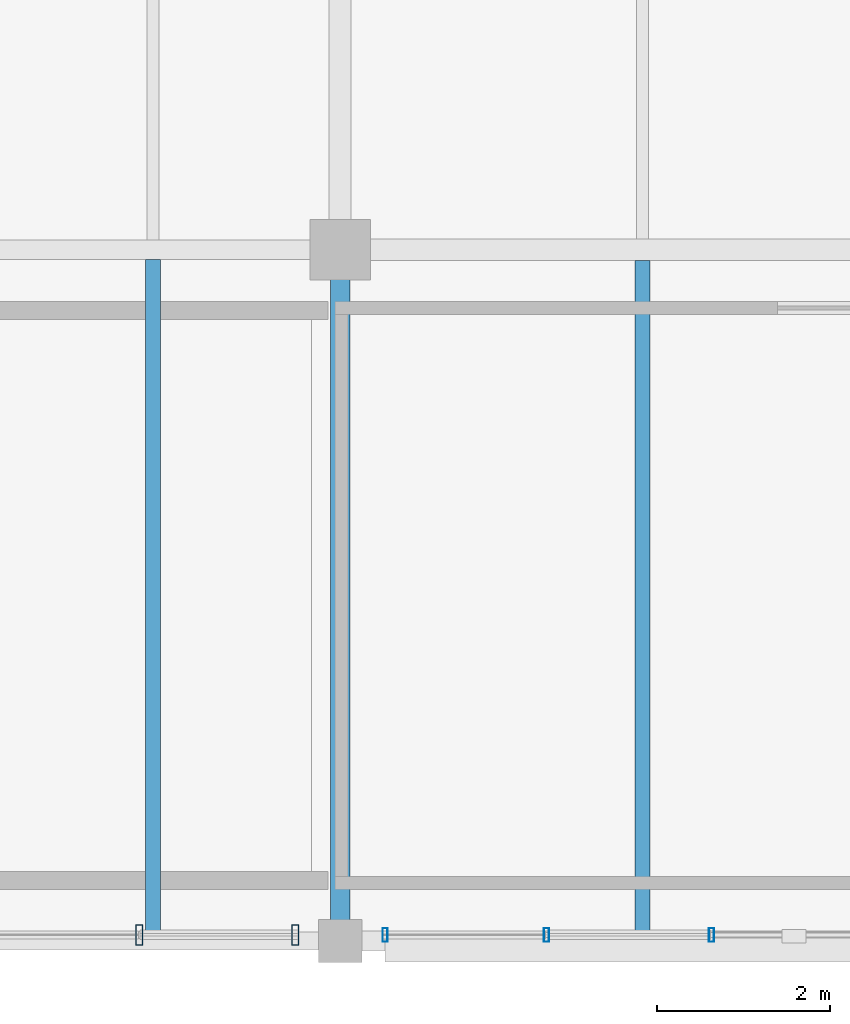
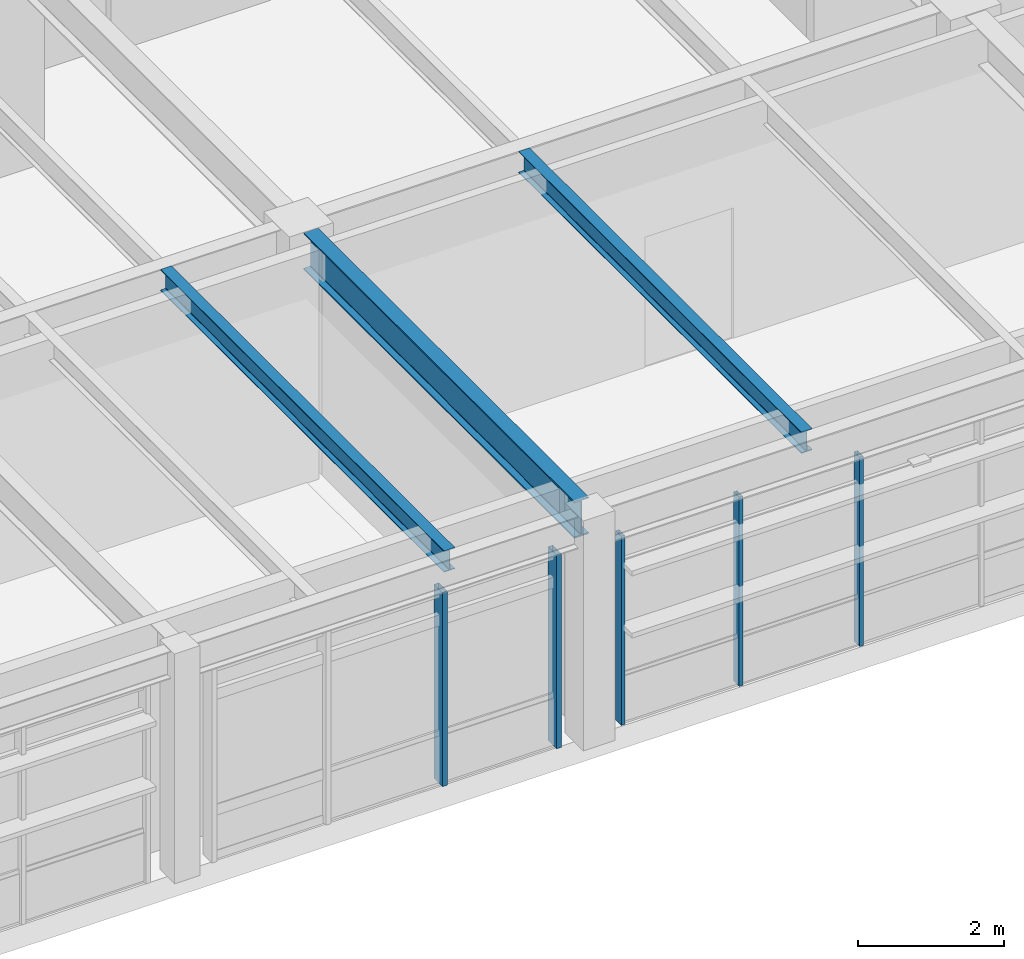
# One storey, part 4 of 26: 5 members, 3 beams, 2 elements without a shape of their own.
"""IFC4 building model written with IfcOpenShell, lengths in metres."""

import ifcopenshell
import ifcopenshell.guid

model = None  # the IFC model being written
_history = None  # IfcOwnerHistory: only IFC2X3 demands one
_inside = {}  # id of a spatial element -> (the spatial element, [elements in it])
_under = {}  # id of a project, library or spatial element -> (it, [spatial elements below it])
_declared = {}  # id of a project -> (the project, [libraries it declares])
_typed = {}  # id of a type object -> (the type object, [elements of that type])
_made_of = {}  # id of a material, layer set ... -> (it, [elements and type objects made of it])


def new_model(schema):
    """Start an empty IFC model of exactly this schema.

    Asked for "IFC4X3", IfcOpenShell would pick the latest addendum, in which some entities
    have other attributes; the version numbers below select the first issue.
    IFC2X3 requires an IfcOwnerHistory on every rooted entity: one is made here for all.
    """
    global model, _history
    if schema == "IFC4X3":
        model = ifcopenshell.file(schema_version=(4, 3, 0, 0))
    else:
        model = ifcopenshell.file(schema=schema)
    _inside.clear()
    _under.clear()
    _declared.clear()
    _typed.clear()
    _made_of.clear()
    _history = None
    if model.schema == "IFC2X3":
        org = make("IfcOrganization", Name="unknown")
        user = make(
            "IfcPersonAndOrganization",
            ThePerson=make("IfcPerson", FamilyName="unknown"),
            TheOrganization=org,
        )
        app = make(
            "IfcApplication",
            ApplicationDeveloper=org,
            Version="unknown",
            ApplicationFullName="unknown",
            ApplicationIdentifier="unknown",
        )
        _history = make(
            "IfcOwnerHistory",
            OwningUser=user,
            OwningApplication=app,
            ChangeAction="ADDED",
            CreationDate=0,
        )
    return model


def make(cls, **values):
    """One entity of the class cls with the attributes given. An attribute that is None is left unset."""
    return model.create_entity(
        cls, **{name: value for name, value in values.items() if value is not None}
    )


def rooted(cls, **values):
    """An entity with a GlobalId (a new one), such as an element, a storey or a relation."""
    return make(cls, GlobalId=ifcopenshell.guid.new(), OwnerHistory=_history, **values)


def si_unit(unit_type, name, prefix=None):
    """IfcSIUnit, for example si_unit("LENGTHUNIT", "METRE", prefix="MILLI")."""
    return make("IfcSIUnit", UnitType=unit_type, Prefix=prefix, Name=name)


def assignment(units):
    """IfcUnitAssignment: the units of a project."""
    return None if units is None else make("IfcUnitAssignment", Units=units)


def point(xyz):
    """IfcCartesianPoint."""
    return None if xyz is None else make("IfcCartesianPoint", Coordinates=xyz)


def direction(xyz):
    """IfcDirection."""
    return None if xyz is None else make("IfcDirection", DirectionRatios=xyz)


def frame(location, z_axis=None, x_axis=None):
    """IfcAxis2Placement3D, a coordinate frame: its origin and axes. An axis left out is left unset."""
    return make(
        "IfcAxis2Placement3D",
        Location=point(location),
        Axis=direction(z_axis),
        RefDirection=direction(x_axis),
    )


def frame_2d(location, x_axis=None):
    """IfcAxis2Placement2D, a coordinate frame in the plane: its origin and x axis."""
    return make(
        "IfcAxis2Placement2D", Location=point(location), RefDirection=direction(x_axis)
    )


def origin():
    """The frame at (0, 0, 0) with its axes left unset."""
    return frame((0.0, 0.0, 0.0))


def origin_2d():
    """The frame at (0, 0) in the plane with its x axis left unset."""
    return frame_2d((0.0, 0.0))


def place(relative_to, where):
    """IfcLocalPlacement: puts the frame where relative to a parent placement (None: the world)."""
    return make(
        "IfcLocalPlacement", PlacementRelTo=relative_to, RelativePlacement=where
    )


def context(
    kind, dimensions, precision=None, world=None, true_north=None, identifier=None
):
    """IfcGeometricRepresentationContext, for example the 3D "Model" context."""
    return make(
        "IfcGeometricRepresentationContext",
        ContextIdentifier=identifier,
        ContextType=kind,
        CoordinateSpaceDimension=dimensions,
        Precision=precision,
        WorldCoordinateSystem=world,
        TrueNorth=true_north,
    )


def subcontext(parent, identifier, kind, view, scale=None):
    """IfcGeometricRepresentationSubContext, for example "Body" below "Model"."""
    return make(
        "IfcGeometricRepresentationSubContext",
        ContextIdentifier=identifier,
        ContextType=kind,
        ParentContext=parent,
        TargetScale=scale,
        TargetView=view,
    )


def project(units=None, contexts=None):
    """IfcProject with its units and contexts."""
    return rooted(
        "IfcProject",
        Name="project",
        RepresentationContexts=contexts,
        UnitsInContext=assignment(units),
    )


def spatial(cls, under=None, at=None, **own):
    """A site, building, storey or space (cls), placed at a placement, below another one or the project."""
    s = rooted(cls, ObjectPlacement=at, **own)
    if under is not None:
        _under.setdefault(under.id(), (under, []))[1].append(s)
    return s


def profile(cls, at=None, kind="AREA", **sizes):
    """A parametric profile (cls). Its sizes go by their IFC names, for example OverallWidth=200.0."""
    return make(cls, ProfileType=kind, Position=at, **sizes)


def hollow_rectangle(**sizes):
    """IfcRectangleHollowProfileDef."""
    return profile("IfcRectangleHollowProfileDef", **sizes)


def i_section(**sizes):
    """IfcIShapeProfileDef."""
    return profile("IfcIShapeProfileDef", **sizes)


def extrude(swept, where, along, depth):
    """IfcExtrudedAreaSolid: the profile swept, set in the frame where, extruded along a direction by depth."""
    return make(
        "IfcExtrudedAreaSolid",
        SweptArea=swept,
        Position=where,
        ExtrudedDirection=direction(along),
        Depth=depth,
    )


def shape(context_of_items, identifier, shape_type, items):
    """IfcShapeRepresentation: the items that make up one representation, for example the "Body"."""
    return make(
        "IfcShapeRepresentation",
        ContextOfItems=context_of_items,
        RepresentationIdentifier=identifier,
        RepresentationType=shape_type,
        Items=items,
    )


def material(Name=None, Category=None):
    """IfcMaterial."""
    return make("IfcMaterial", Name=Name, Category=Category)


def material_profile(
    of_material, cross_section, Name=None, Category=None, Priority=None
):
    """IfcMaterialProfile: a cross section and its material."""
    return make(
        "IfcMaterialProfile",
        Name=Name,
        Material=of_material,
        Profile=cross_section,
        Priority=Priority,
        Category=Category,
    )


def profile_set(profiles, Name=None, composite=None):
    """IfcMaterialProfileSet."""
    return make(
        "IfcMaterialProfileSet",
        Name=Name,
        MaterialProfiles=profiles,
        CompositeProfile=composite,
    )


def made_of(thing, what):
    """Note that an element or type object is made of a material, layer set ...; save() writes the relation."""
    if what is not None:
        _made_of.setdefault(what.id(), (what, []))[1].append(thing)
    return thing


def type_object(cls, material=None, **own):
    """A type object (cls), such as IfcWallType, which elements share."""
    return made_of(rooted(cls, **own), material)


def element(
    cls,
    number,
    at=None,
    inside=None,
    cuts=None,
    type_object=None,
    material=None,
    context=None,
    identifier="Body",
    shape_type=None,
    held_by="IfcProductDefinitionShape",
    body=None,
    shapes=None,
    **own,
):
    """One element of the class cls, such as IfcWall. Its Tag is "e" and its number.

    at: its placement. inside: the storey or other place that contains it. cuts: it is an
    opening in that element (IfcRelVoidsElement). A single representation is given by context,
    identifier, shape_type and body (its items); several are given by shapes. held_by: the class
    of the entity that holds the representations. save() writes the other relations.
    """
    e = rooted(cls, Tag="e%d" % number, ObjectPlacement=at, **own)
    if body is not None:
        shapes = [shape(context, identifier, shape_type, body)]
    if shapes is not None:
        e.Representation = make(held_by, Representations=shapes)
    if inside is not None:
        _inside.setdefault(inside.id(), (inside, []))[1].append(e)
    if cuts is not None:
        rooted(
            "IfcRelVoidsElement", RelatingBuildingElement=cuts, RelatedOpeningElement=e
        )
    if type_object is not None:
        _typed.setdefault(type_object.id(), (type_object, []))[1].append(e)
    return made_of(e, material)


def aggregate(whole, parts):
    """IfcRelAggregates: a whole, such as a stair, and the parts it consists of."""
    return rooted("IfcRelAggregates", RelatingObject=whole, RelatedObjects=parts)


def save(model, path):
    """Write the relations noted so far, then the file.

    IfcRelAggregates (storeys below a building ...), IfcRelContainedInSpatialStructure (elements
    in a storey), IfcRelDefinesByType, IfcRelAssociatesMaterial and IfcRelDeclares: one each for
    every whole, place, type object, material and project.
    """
    for whole, parts in _under.values():
        aggregate(whole, parts)
    for where, things in _inside.values():
        rooted(
            "IfcRelContainedInSpatialStructure",
            RelatedElements=things,
            RelatingStructure=where,
        )
    for kind, things in _typed.values():
        rooted("IfcRelDefinesByType", RelatedObjects=things, RelatingType=kind)
    for what, things in _made_of.values():
        rooted("IfcRelAssociatesMaterial", RelatedObjects=things, RelatingMaterial=what)
    for by, libraries in _declared.values():
        rooted("IfcRelDeclares", RelatingContext=by, RelatedDefinitions=libraries)
    model.write(path)


model = new_model("IFC4")

# Units and contexts
model_context = context("Model", 3, precision=1e-05, world=origin(), true_north=direction((0.0, 1.0)))
body_context = subcontext(model_context, "Body", "Model", "MODEL_VIEW")
ifc_project = project(units=[si_unit("LENGTHUNIT", "METRE"), si_unit("AREAUNIT", "SQUARE_METRE"), si_unit("VOLUMEUNIT", "CUBIC_METRE"), si_unit("PLANEANGLEUNIT", "RADIAN"), si_unit("MASSUNIT", "GRAM", prefix="KILO"), si_unit("THERMODYNAMICTEMPERATUREUNIT", "KELVIN"), si_unit("POWERUNIT", "WATT")], contexts=[model_context])

# Site, building, storey
site_placement = place(None, origin())
site = spatial("IfcSite", under=ifc_project, at=site_placement, CompositionType="ELEMENT")
building_placement = place(site_placement, origin())
building = spatial("IfcBuilding", under=site, at=building_placement, Name="Tepalcoro Natatorium and Aquatics Centre", CompositionType="ELEMENT")
storey_placement = place(building_placement, frame((0.0, 0.0, 19.0)))
storey = spatial("IfcBuildingStorey", under=building, at=storey_placement, Name="L04", CompositionType="ELEMENT", Elevation=19.0)

# Beam
ifc_material_1 = material(Name="Steel ASTM A992 Grade 50 (Fy 345 MPa)", Category="steel")
ifc_material_profile_1 = material_profile(ifc_material_1, i_section(OverallWidth=0.22998046875, OverallDepth=0.616943359375, WebThickness=0.012939453125, FlangeThickness=0.02197265625, FilletRadius=0.013916015625, at=origin_2d()), Name="W24X94")
ifc_profile_set_1 = profile_set([ifc_material_profile_1], Name="Steel ASTM A992 Grade 50 (Fy 345 MPa)")
beam_type_1 = type_object("IfcBeamType", Name="BM_W24x94", PredefinedType="BEAM", material=ifc_profile_set_1)
beam_1_placement = place(storey_placement, frame((131.5, 94.235107421875, 3.526611328125), z_axis=(0.0, 1.0, 0.0), x_axis=(-1.0, 0.0, 0.0)))
element("IfcBeam", 1, at=beam_1_placement, inside=storey, type_object=beam_type_1, Name="V5 L04 Grid Girder Y", PredefinedType="BEAM", context=body_context, shape_type="SweptSolid", body=[
    extrude(i_section(OverallWidth=0.22998046875, OverallDepth=0.616943359375, WebThickness=0.012939453125, FlangeThickness=0.02197265625, FilletRadius=0.013916015625, at=origin_2d()), origin(), (0.0, 0.0, 1.0), 7.429931640625),
])

# Curtain wall, members
ifc_material_2 = material(Name="Bronze-Anodised Extruded Aluminium Alloy EN AW-6063 T6", Category="aluminium")
curtain_wall_type_1 = type_object("IfcCurtainWallType", Name="CW_V4_VILLAGE", PredefinedType="USERDEFINED", material=ifc_material_2)
curtain_wall_1_placement = place(storey_placement, origin())
curtain_wall_1 = element("IfcCurtainWall", 2, at=curtain_wall_1_placement, inside=storey, type_object=curtain_wall_type_1, Name="V5 L04 S Unitised Curtain Wall Bay 3", ObjectType="UNITISED STOREFRONT", PredefinedType="USERDEFINED")
ifc_material_profile_2 = material_profile(ifc_material_2, hollow_rectangle(XDim=0.06005859375, YDim=0.159912109375, WallThickness=0.00390625, at=origin_2d()), Name="AL60X160X4")
ifc_profile_set_2 = profile_set([ifc_material_profile_2], Name="Bronze-Anodised Extruded Aluminium Alloy EN AW-6063 T6")
member_type_1 = type_object("IfcMemberType", Name="CW_MUL_60x160", PredefinedType="MULLION", material=ifc_profile_set_2)
member_1_placement = place(storey_placement, frame((132.02001953125, 94.0712890625, 0.02001953125), z_axis=(0.0, 0.0, 1.0), x_axis=(1.0, 0.0, 0.0)))
member_1 = element("IfcMember", 3, at=member_1_placement, type_object=member_type_1, Name="CW_V4_VILLAGE Curtain Wall Mullion", PredefinedType="MULLION", context=body_context, shape_type="SweptSolid", body=[
    extrude(hollow_rectangle(XDim=0.06005859375, YDim=0.159912109375, WallThickness=0.00390625, at=origin_2d()), origin(), (0.0, 0.0, 1.0), 3.16796875),
])
member_2_placement = place(storey_placement, frame((133.887939453125, 94.0712890625, 0.02001953125), z_axis=(0.0, 0.0, 1.0), x_axis=(1.0, 0.0, 0.0)))
member_2 = element("IfcMember", 4, at=member_2_placement, type_object=member_type_1, Name="CW_V4_VILLAGE Curtain Wall Mullion", PredefinedType="MULLION", context=body_context, shape_type="SweptSolid", body=[
    extrude(hollow_rectangle(XDim=0.06005859375, YDim=0.159912109375, WallThickness=0.00390625, at=origin_2d()), origin(), (0.0, 0.0, 1.0), 3.16796875),
])
member_3_placement = place(storey_placement, frame((135.7958984375, 94.0712890625, 0.02001953125), z_axis=(0.0, 0.0, 1.0), x_axis=(1.0, 0.0, 0.0)))
member_3 = element("IfcMember", 5, at=member_3_placement, type_object=member_type_1, Name="CW_V4_VILLAGE Curtain Wall Mullion", PredefinedType="MULLION", context=body_context, shape_type="SweptSolid", body=[
    extrude(hollow_rectangle(XDim=0.06005859375, YDim=0.159912109375, WallThickness=0.00390625, at=origin_2d()), origin(), (0.0, 0.0, 1.0), 3.16796875),
])
aggregate(curtain_wall_1, [member_1, member_2, member_3])

curtain_wall_type_2 = type_object("IfcCurtainWallType", Name="CW_V3_FOYER", PredefinedType="USERDEFINED", material=ifc_material_2)
curtain_wall_2_placement = place(storey_placement, origin())
curtain_wall_2 = element("IfcCurtainWall", 6, at=curtain_wall_2_placement, inside=storey, type_object=curtain_wall_type_2, Name="V5 L04 S Unitised Curtain Wall Bay 2", ObjectType="UNITISED STOREFRONT", PredefinedType="USERDEFINED")
ifc_material_profile_3 = material_profile(ifc_material_2, hollow_rectangle(XDim=0.080078125, YDim=0.239990234375, WallThickness=0.0048828125, at=origin_2d()), Name="AL80X240X5")
ifc_profile_set_3 = profile_set([ifc_material_profile_3], Name="Bronze-Anodised Extruded Aluminium Alloy EN AW-6063 T6")
member_type_2 = type_object("IfcMemberType", Name="CW_MUL_80x240", PredefinedType="MULLION", material=ifc_profile_set_3)
member_4_placement = place(storey_placement, frame((129.17333984375, 94.0712890625, 0.02001953125), z_axis=(0.0, 0.0, 1.0), x_axis=(1.0, 0.0, 0.0)))
member_4 = element("IfcMember", 7, at=member_4_placement, type_object=member_type_2, Name="CW_V3_FOYER Curtain Wall Mullion", PredefinedType="MULLION", context=body_context, shape_type="SweptSolid", body=[
    extrude(hollow_rectangle(XDim=0.080078125, YDim=0.239990234375, WallThickness=0.0048828125, at=origin_2d()), origin(), (0.0, 0.0, 1.0), 3.243896484375),
])
member_5_placement = place(storey_placement, frame((130.97998046875, 94.0712890625, 0.02001953125), z_axis=(0.0, 0.0, 1.0), x_axis=(1.0, 0.0, 0.0)))
member_5 = element("IfcMember", 8, at=member_5_placement, type_object=member_type_2, Name="CW_V3_FOYER Curtain Wall Mullion", PredefinedType="MULLION", context=body_context, shape_type="SweptSolid", body=[
    extrude(hollow_rectangle(XDim=0.080078125, YDim=0.239990234375, WallThickness=0.0048828125, at=origin_2d()), origin(), (0.0, 0.0, 1.0), 3.243896484375),
])
aggregate(curtain_wall_2, [member_4, member_5])

# Beams
ifc_material_profile_4 = material_profile(ifc_material_1, i_section(OverallWidth=0.172119140625, OverallDepth=0.35791015625, WebThickness=0.008056640625, FlangeThickness=0.012939453125, FilletRadius=0.013916015625, at=origin_2d()), Name="W14X38")
ifc_profile_set_4 = profile_set([ifc_material_profile_4], Name="Steel ASTM A992 Grade 50 (Fy 345 MPa)")
beam_type_2 = type_object("IfcBeamType", Name="JS_W14x38", PredefinedType="JOIST", material=ifc_profile_set_4)
beam_2_placement = place(storey_placement, frame((129.333251953125, 94.10498046875, 3.656005859375), z_axis=(0.0, 1.0, 0.0), x_axis=(-1.0, 0.0, 0.0)))
element("IfcBeam", 9, at=beam_2_placement, inside=storey, type_object=beam_type_2, Name="V5 L04 Floor Joist", PredefinedType="JOIST", context=body_context, shape_type="SweptSolid", body=[
    extrude(i_section(OverallWidth=0.172119140625, OverallDepth=0.35791015625, WebThickness=0.008056640625, FlangeThickness=0.012939453125, FilletRadius=0.013916015625, at=origin_2d()), origin(), (0.0, 0.0, 1.0), 7.781005859375),
])
beam_3_placement = place(storey_placement, frame((135.0, 94.114501953125, 3.656005859375), z_axis=(0.0, 1.0, 0.0), x_axis=(-1.0, 0.0, 0.0)))
element("IfcBeam", 10, at=beam_3_placement, inside=storey, type_object=beam_type_2, Name="V5 L04 Floor Joist", PredefinedType="JOIST", context=body_context, shape_type="SweptSolid", body=[
    extrude(i_section(OverallWidth=0.172119140625, OverallDepth=0.35791015625, WebThickness=0.008056640625, FlangeThickness=0.012939453125, FilletRadius=0.013916015625, at=origin_2d()), origin(), (0.0, 0.0, 1.0), 7.758544921875),
])

save(model, "model.ifc")
